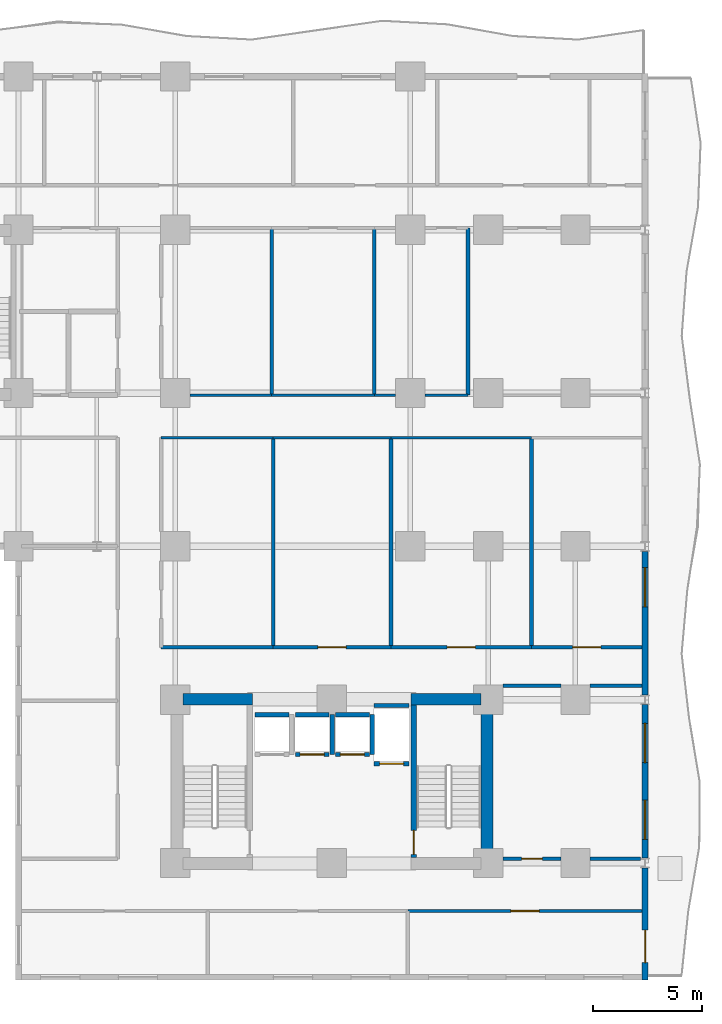
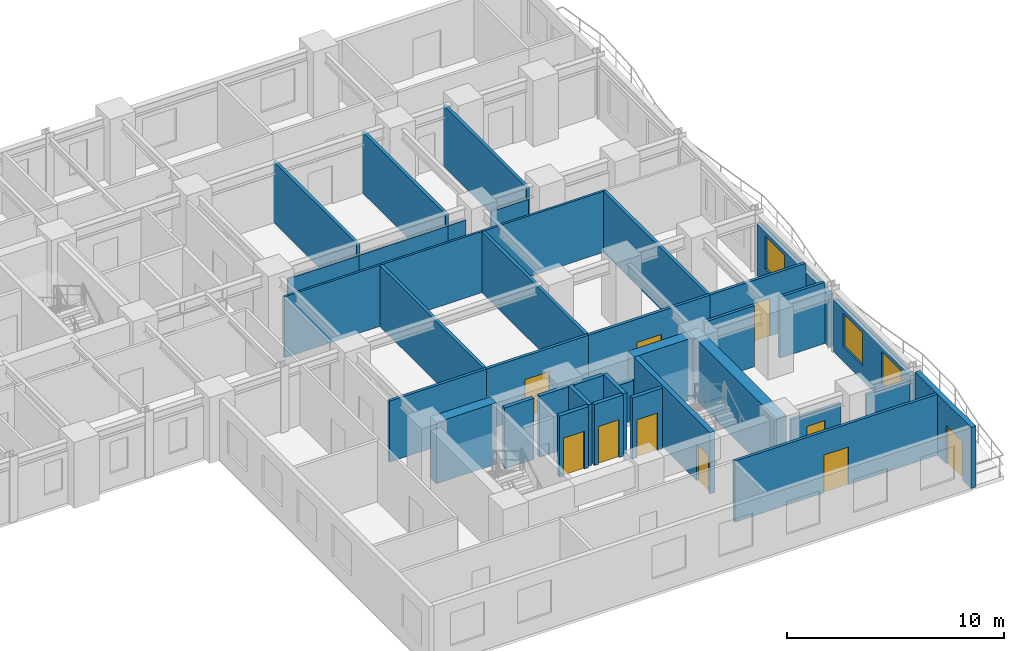
# One storey, part 13 of 19: 38 walls, 10 doors, 3 windows, 13 openings.
"""IFC4 building model written with IfcOpenShell, lengths in metres."""

from ifc_helpers import new_model, si_unit, direction, frame, frame_2d, origin, place, context, subcontext, project, spatial, rectangle, extrude, material, layer, layer_set, type_object, element, fill, save


model = new_model("IFC4")

# Units and contexts
model_context = context("Model", 3, precision=1e-05, world=origin(), true_north=direction((0.0, 1.0)))
body_context = subcontext(model_context, "Body", "Model", "MODEL_VIEW")
ifc_project = project(units=[si_unit("LENGTHUNIT", "METRE"), si_unit("AREAUNIT", "SQUARE_METRE"), si_unit("VOLUMEUNIT", "CUBIC_METRE"), si_unit("PLANEANGLEUNIT", "RADIAN"), si_unit("MASSUNIT", "GRAM", prefix="KILO")], contexts=[model_context])

# Site, building, storey
site_placement = place(None, origin())
site = spatial("IfcSite", under=ifc_project, at=site_placement, CompositionType="ELEMENT")
building_placement = place(site_placement, origin())
building = spatial("IfcBuilding", under=site, at=building_placement, Name="Kaliganga Portal Commons", CompositionType="ELEMENT")
storey_placement = place(building_placement, frame((0.0, 0.0, 47.5)))
storey = spatial("IfcBuildingStorey", under=building, at=storey_placement, Name="L11", CompositionType="ELEMENT", Elevation=47.5)

# Walls
ifc_material_1 = material(Name="Concrete C60/75", Category="concrete")
ifc_layer_1 = layer(ifc_material_1, 0.550048828125)
ifc_layer_set_1 = layer_set([ifc_layer_1], Name="Concrete C60/75")
wall_type_1 = type_object("IfcWallType", Name="WL-CORE-550", PredefinedType="SHEAR", material=ifc_layer_set_1)
wall_1_placement = place(storey_placement, frame((50.324951171875, 6.75, 0.0), z_axis=(0.0, 0.0, 1.0), x_axis=(0.0, 1.0, 0.0)))
element("IfcWall", 1, at=wall_1_placement, inside=storey, type_object=wall_type_1, Name="Core B East Shear Wall L11", PredefinedType="SHEAR", context=body_context, shape_type="SweptSolid", body=[
    extrude(rectangle(XDim=8.10009765625, YDim=0.550048828125, at=frame_2d((4.050048828125, 0.0))), origin(), (0.0, 0.0, 1.0), 3.449951171875),
])
for number, where, z_axis, x_axis, name in (
    (2, (36.35009765625, 14.574951171875, 0.0), (0.0, 0.0, 1.0), (1.0, 0.0, 0.0), "Core B N-West Shear Wall L11"),
    (3, (46.85009765625, 14.574951171875, 0.0), (0.0, 0.0, 1.0), (1.0, 0.0, 0.0), "Core B N-East Shear Wall L11"),
):
    element("IfcWall", number, at=place(storey_placement, frame(where, z_axis=z_axis, x_axis=x_axis)), inside=storey, type_object=wall_type_1, Name=name, PredefinedType="SHEAR", context=body_context, shape_type="SweptSolid", body=[
        extrude(rectangle(XDim=3.199951171875, YDim=0.550048828125, at=frame_2d((1.60009765625, 0.0))), origin(), (0.0, 0.0, 1.0), 3.449951171875),
    ])

# Wall, opening, door
ifc_material_2 = material(Name="Insulated Aluminium-Clad Spandrel Assembly", Category="aluminium")
ifc_layer_2 = layer(ifc_material_2, 0.260009765625)
ifc_layer_set_2 = layer_set([ifc_layer_2], Name="Insulated Aluminium-Clad Spandrel Assembly")
wall_type_2 = type_object("IfcWallType", Name="WL-EXT-SPAND-260", PredefinedType="STANDARD", material=ifc_layer_set_2)
wall_2_placement = place(storey_placement, frame((57.60009765625, 6.825927734375, 0.0), z_axis=(0.0, 0.0, 1.0), x_axis=(0.0, -1.0, 0.0)))
wall_2 = element("IfcWall", 4, at=wall_2_placement, inside=storey, type_object=wall_type_2, Name="Exterior Envelope Wall L11 P1-E01-S1", PredefinedType="STANDARD", context=body_context, shape_type="SweptSolid", body=[
    extrude(rectangle(XDim=5.156005859375, YDim=0.260009765625, at=frame_2d((2.578125, 0.0))), origin(), (0.0, 0.0, 1.0), 3.429931640625),
])
opening_1_placement = place(wall_2_placement, frame((2.85888671875, 0.0, 0.0)))
opening_1 = element("IfcOpeningElement", 5, at=opening_1_placement, cuts=wall_2, Name="Opening BD-01", PredefinedType="OPENING", context=body_context, shape_type="SweptSolid", body=[
    extrude(rectangle(XDim=1.5, YDim=2.14990234375, at=frame_2d((0.75, 1.074951171875))), frame((0.0, 0.14013671875, 0.0), z_axis=(0.0, -1.0, 0.0), x_axis=(1.0, 0.0, 0.0)), (0.0, 0.0, 1.0), 0.280029296875),
])
ifc_material_3 = material(Name="Anodized Aluminium and Laminated Safety Glass", Category="aluminium")
door_type_1 = type_object("IfcDoorType", Name="DR-BALC-1500", OperationType="SLIDING_TO_LEFT", PredefinedType="DOOR", material=ifc_material_3)
door_1_placement = place(opening_1_placement, origin())
door_1 = element("IfcDoor", 6, at=door_1_placement, inside=storey, type_object=door_type_1, Name="Balcony Sliding Door L11 balc_east", OperationType="SLIDING_TO_LEFT", OverallHeight=2.14990234375, OverallWidth=1.5, PredefinedType="DOOR", context=body_context, shape_type="SweptSolid", body=[
    extrude(rectangle(XDim=1.5, YDim=2.14990234375, at=frame_2d((0.75, 1.074951171875))), frame((0.0, 0.02490234375, 0.0), z_axis=(0.0, -1.0, 0.0), x_axis=(1.0, 0.0, 0.0)), (0.0, 0.0, 1.0), 0.050048828125),
])
fill(opening_1, door_1)

# Wall, openings, windows
wall_3_placement = place(storey_placement, frame((57.60009765625, 14.325927734375, 0.0), z_axis=(0.0, 0.0, 1.0), x_axis=(0.0, -1.0, 0.0)))
wall_3 = element("IfcWall", 7, at=wall_3_placement, inside=storey, type_object=wall_type_2, Name="Exterior Envelope Wall L11 P1-E01-S2", PredefinedType="STANDARD", context=body_context, shape_type="SweptSolid", body=[
    extrude(rectangle(XDim=7.052001953125, YDim=0.260009765625, at=frame_2d((3.52587890625, 0.0))), origin(), (0.0, 0.0, 1.0), 2.929931640625),
])
opening_2_placement = place(wall_3_placement, frame((0.863037109375, 0.0, 0.85009765625)))
opening_2 = element("IfcOpeningElement", 8, at=opening_2_placement, cuts=wall_3, Name="Opening W-01", PredefinedType="OPENING", context=body_context, shape_type="SweptSolid", body=[
    extrude(rectangle(XDim=1.800048828125, YDim=1.85009765625, at=frame_2d((0.89990234375, 0.925048828125))), frame((0.0, 0.14013671875, 0.0), z_axis=(0.0, -1.0, 0.0), x_axis=(1.0, 0.0, 0.0)), (0.0, 0.0, 1.0), 0.280029296875),
])
opening_3_placement = place(wall_3_placement, frame((4.388916015625, 0.0, 0.85009765625)))
opening_3 = element("IfcOpeningElement", 9, at=opening_3_placement, cuts=wall_3, Name="Opening W-01", PredefinedType="OPENING", context=body_context, shape_type="SweptSolid", body=[
    extrude(rectangle(XDim=1.800048828125, YDim=1.85009765625, at=frame_2d((0.89990234375, 0.925048828125))), frame((0.0, 0.14013671875, 0.0), z_axis=(0.0, -1.0, 0.0), x_axis=(1.0, 0.0, 0.0)), (0.0, 0.0, 1.0), 0.280029296875),
])
ifc_material_4 = material(Name="Thermally Broken Aluminium and Low-E Double Glazing", Category="aluminium")
window_type = type_object("IfcWindowType", Name="WIN-STD-1800", PartitioningType="DOUBLE_PANEL_VERTICAL", PredefinedType="WINDOW", material=ifc_material_4)
window_1_placement = place(opening_2_placement, origin())
window_1 = element("IfcWindow", 10, at=window_1_placement, inside=storey, type_object=window_type, Name="Facade Window L11-P1E01S2-00", OverallHeight=1.85009765625, OverallWidth=1.800048828125, PartitioningType="SINGLE_PANEL", PredefinedType="WINDOW", context=body_context, shape_type="SweptSolid", body=[
    extrude(rectangle(XDim=1.800048828125, YDim=1.85009765625, at=frame_2d((0.89990234375, 0.925048828125))), frame((0.0, 0.030029296875, 0.0), z_axis=(0.0, -1.0, 0.0), x_axis=(1.0, 0.0, 0.0)), (0.0, 0.0, 1.0), 0.06005859375),
])
fill(opening_2, window_1)
window_2_placement = place(opening_3_placement, origin())
window_2 = element("IfcWindow", 11, at=window_2_placement, inside=storey, type_object=window_type, Name="Facade Window L11-P1E01S2-01", OverallHeight=1.85009765625, OverallWidth=1.800048828125, PartitioningType="SINGLE_PANEL", PredefinedType="WINDOW", context=body_context, shape_type="SweptSolid", body=[
    extrude(rectangle(XDim=1.800048828125, YDim=1.85009765625, at=frame_2d((0.89990234375, 0.925048828125))), frame((0.0, 0.030029296875, 0.0), z_axis=(0.0, -1.0, 0.0), x_axis=(1.0, 0.0, 0.0)), (0.0, 0.0, 1.0), 0.06005859375),
])
fill(opening_3, window_2)

# Wall, opening, window
wall_4_placement = place(storey_placement, frame((57.60009765625, 21.3759765625, 0.0), z_axis=(0.0, 0.0, 1.0), x_axis=(0.0, -1.0, 0.0)))
wall_4 = element("IfcWall", 12, at=wall_4_placement, inside=storey, type_object=wall_type_2, Name="Exterior Envelope Wall L11 P1-E01-S3", PredefinedType="STANDARD", context=body_context, shape_type="SweptSolid", body=[
    extrude(rectangle(XDim=6.60205078125, YDim=0.260009765625, at=frame_2d((3.301025390625, 0.0))), origin(), (0.0, 0.0, 1.0), 2.929931640625),
])
opening_4_placement = place(wall_4_placement, frame((0.75048828125, 0.0, 0.85009765625)))
opening_4 = element("IfcOpeningElement", 13, at=opening_4_placement, cuts=wall_4, Name="Opening W-01", PredefinedType="OPENING", context=body_context, shape_type="SweptSolid", body=[
    extrude(rectangle(XDim=1.800048828125, YDim=1.85009765625, at=frame_2d((0.89990234375, 0.925048828125))), frame((0.0, 0.14013671875, 0.0), z_axis=(0.0, -1.0, 0.0), x_axis=(1.0, 0.0, 0.0)), (0.0, 0.0, 1.0), 0.280029296875),
])
window_3_placement = place(opening_4_placement, origin())
window_3 = element("IfcWindow", 14, at=window_3_placement, inside=storey, type_object=window_type, Name="Facade Window L11-P1E01S3-00", OverallHeight=1.85009765625, OverallWidth=1.800048828125, PartitioningType="SINGLE_PANEL", PredefinedType="WINDOW", context=body_context, shape_type="SweptSolid", body=[
    extrude(rectangle(XDim=1.800048828125, YDim=1.85009765625, at=frame_2d((0.89990234375, 0.925048828125))), frame((0.0, 0.030029296875, 0.0), z_axis=(0.0, -1.0, 0.0), x_axis=(1.0, 0.0, 0.0)), (0.0, 0.0, 1.0), 0.06005859375),
])
fill(opening_4, window_3)

# Wall, opening, door
ifc_material_5 = material(Name="Fire-Rated Gypsum Board on Steel Stud", Category="steel")
ifc_layer_3 = layer(ifc_material_5, 0.14990234375)
ifc_layer_set_3 = layer_set([ifc_layer_3], Name="Fire-Rated Gypsum Board on Steel Stud")
wall_type_3 = type_object("IfcWallType", Name="WL-PART-CORR-150", PredefinedType="PARTITIONING", material=ifc_layer_set_3)
wall_5_placement = place(storey_placement, frame((46.699951171875, 4.840087890625, 0.0), z_axis=(0.0, 0.0, 1.0), x_axis=(1.0, 0.0, 0.0)))
wall_5 = element("IfcWall", 15, at=wall_5_placement, inside=storey, type_object=wall_type_3, Name="Interior Partition L11-008", PredefinedType="PARTITIONING", context=body_context, shape_type="SweptSolid", body=[
    extrude(rectangle(XDim=10.76806640625, YDim=0.14990234375, at=frame_2d((5.384033203125, 0.0))), origin(), (0.0, 0.0, 1.0), 3.429931640625),
])
opening_5_placement = place(wall_5_placement, frame((4.73388671875, 0.0, 0.0)))
opening_5 = element("IfcOpeningElement", 16, at=opening_5_placement, cuts=wall_5, Name="Opening RD-03", PredefinedType="OPENING", context=body_context, shape_type="SweptSolid", body=[
    extrude(rectangle(XDim=1.300048828125, YDim=2.1201171875, at=frame_2d((0.64990234375, 1.06005859375))), frame((0.0, 0.0849609375, 0.0), z_axis=(0.0, -1.0, 0.0), x_axis=(1.0, 0.0, 0.0)), (0.0, 0.0, 1.0), 0.169921875),
])
ifc_material_6 = material(Name="Glazed Timber Seminar Vision Door", Category="wood")
door_type_2 = type_object("IfcDoorType", Name="DR-STUDY-1300", OperationType="DOUBLE_DOOR_SINGLE_SWING", PredefinedType="DOOR", material=ifc_material_6)
door_2_placement = place(opening_5_placement, origin())
door_2 = element("IfcDoor", 17, at=door_2_placement, inside=storey, type_object=door_type_2, Name="Interior Door L11-BS03", OperationType="DOUBLE_DOOR_SINGLE_SWING", OverallHeight=2.1201171875, OverallWidth=1.300048828125, PredefinedType="DOOR", context=body_context, shape_type="SweptSolid", body=[
    extrude(rectangle(XDim=1.300048828125, YDim=2.1201171875, at=frame_2d((0.64990234375, 1.06005859375))), frame((0.0, 0.02490234375, 0.0), z_axis=(0.0, -1.0, 0.0), x_axis=(1.0, 0.0, 0.0)), (0.0, 0.0, 1.0), 0.050048828125),
])
fill(opening_5, door_2)

wall_6_placement = place(storey_placement, frame((51.074951171875, 7.239990234375, 0.0), z_axis=(0.0, 0.0, 1.0), x_axis=(1.0, 0.0, 0.0)))
wall_6 = element("IfcWall", 18, at=wall_6_placement, inside=storey, type_object=wall_type_3, Name="Interior Partition L11-021", PredefinedType="PARTITIONING", context=body_context, shape_type="SweptSolid", body=[
    extrude(rectangle(XDim=2.650146484375, YDim=0.14990234375, at=frame_2d((1.3251953125, 0.0))), origin(), (0.0, 0.0, 1.0), 2.780029296875),
])
opening_6_placement = place(wall_6_placement, frame((0.85009765625, 0.0, 0.0)))
opening_6 = element("IfcOpeningElement", 19, at=opening_6_placement, cuts=wall_6, Name="Opening UD-01", PredefinedType="OPENING", context=body_context, shape_type="SweptSolid", body=[
    extrude(rectangle(XDim=0.949951171875, YDim=2.10009765625, at=frame_2d((0.47509765625, 1.050048828125))), frame((0.0, 0.0849609375, 0.0), z_axis=(0.0, -1.0, 0.0), x_axis=(1.0, 0.0, 0.0)), (0.0, 0.0, 1.0), 0.169921875),
])
ifc_material_7 = material(Name="Solid-Core Timber Acoustic Fire Door", Category="wood")
door_type_3 = type_object("IfcDoorType", Name="DR-UNIT-950", OperationType="NOTDEFINED", PredefinedType="DOOR", material=ifc_material_7)
door_3_placement = place(opening_6_placement, origin())
door_3 = element("IfcDoor", 20, at=door_3_placement, inside=storey, type_object=door_type_3, Name="Interior Door L11-BE01", OperationType="SINGLE_SWING_RIGHT", OverallHeight=2.10009765625, OverallWidth=0.949951171875, PredefinedType="DOOR", context=body_context, shape_type="SweptSolid", body=[
    extrude(rectangle(XDim=0.949951171875, YDim=2.10009765625, at=frame_2d((0.47509765625, 1.050048828125))), frame((0.0, 0.02490234375, 0.0), z_axis=(0.0, -1.0, 0.0), x_axis=(1.0, 0.0, 0.0)), (0.0, 0.0, 1.0), 0.050048828125),
])
fill(opening_6, door_3)

# Walls
wall_7_placement = place(storey_placement, frame((55.074951171875, 7.239990234375, 0.0), z_axis=(0.0, 0.0, 1.0), x_axis=(1.0, 0.0, 0.0)))
element("IfcWall", 21, at=wall_7_placement, inside=storey, type_object=wall_type_3, Name="Interior Partition L11-022", PredefinedType="PARTITIONING", context=body_context, shape_type="SweptSolid", body=[
    extrude(rectangle(XDim=2.317138671875, YDim=0.14990234375, at=frame_2d((1.15869140625, 0.0))), origin(), (0.0, 0.0, 1.0), 2.780029296875),
])
wall_8_placement = place(storey_placement, frame((51.074951171875, 15.199951171875, 0.0), z_axis=(0.0, 0.0, 1.0), x_axis=(1.0, 0.0, 0.0)))
element("IfcWall", 22, at=wall_8_placement, inside=storey, type_object=wall_type_3, Name="Interior Partition L11-023", PredefinedType="PARTITIONING", context=body_context, shape_type="SweptSolid", body=[
    extrude(rectangle(XDim=2.650146484375, YDim=0.14990234375, at=frame_2d((1.3251953125, 0.0))), origin(), (0.0, 0.0, 1.0), 3.429931640625),
])
wall_9_placement = place(storey_placement, frame((55.074951171875, 15.199951171875, 0.0), z_axis=(0.0, 0.0, 1.0), x_axis=(1.0, 0.0, 0.0)))
element("IfcWall", 23, at=wall_9_placement, inside=storey, type_object=wall_type_3, Name="Interior Partition L11-024", PredefinedType="PARTITIONING", context=body_context, shape_type="SweptSolid", body=[
    extrude(rectangle(XDim=2.39306640625, YDim=0.14990234375, at=frame_2d((1.196533203125, 0.0))), origin(), (0.0, 0.0, 1.0), 3.429931640625),
])

# Wall, opening, door
wall_10_placement = place(storey_placement, frame((45.919921875, 16.9599609375, 0.0), z_axis=(0.0, 0.0, 1.0), x_axis=(1.0, 0.0, 0.0)))
wall_10 = element("IfcWall", 24, at=wall_10_placement, inside=storey, type_object=wall_type_3, Name="Interior Partition L11-027", PredefinedType="PARTITIONING", context=body_context, shape_type="SweptSolid", body=[
    extrude(rectangle(XDim=6.4599609375, YDim=0.14990234375, at=frame_2d((3.22998046875, 0.0))), origin(), (0.0, 0.0, 1.0), 3.429931640625),
])
opening_7_placement = place(wall_10_placement, frame((2.580078125, 0.0, 0.0)))
opening_7 = element("IfcOpeningElement", 25, at=opening_7_placement, cuts=wall_10, Name="Opening RD-03", PredefinedType="OPENING", context=body_context, shape_type="SweptSolid", body=[
    extrude(rectangle(XDim=1.300048828125, YDim=2.1201171875, at=frame_2d((0.64990234375, 1.06005859375))), frame((0.0, 0.0849609375, 0.0), z_axis=(0.0, -1.0, 0.0), x_axis=(1.0, 0.0, 0.0)), (0.0, 0.0, 1.0), 0.169921875),
])
door_4_placement = place(opening_7_placement, origin())
door_4 = element("IfcDoor", 26, at=door_4_placement, inside=storey, type_object=door_type_2, Name="Interior Door L11-BM03", OperationType="DOUBLE_DOOR_SINGLE_SWING", OverallHeight=2.1201171875, OverallWidth=1.300048828125, PredefinedType="DOOR", context=body_context, shape_type="SweptSolid", body=[
    extrude(rectangle(XDim=1.300048828125, YDim=2.1201171875, at=frame_2d((0.64990234375, 1.06005859375))), frame((0.0, 0.02490234375, 0.0), z_axis=(0.0, -1.0, 0.0), x_axis=(1.0, 0.0, 0.0)), (0.0, 0.0, 1.0), 0.050048828125),
])
fill(opening_7, door_4)

wall_11_placement = place(storey_placement, frame((40.5, 16.9599609375, 0.0), z_axis=(0.0, 0.0, 1.0), x_axis=(1.0, 0.0, 0.0)))
wall_11 = element("IfcWall", 27, at=wall_11_placement, inside=storey, type_object=wall_type_3, Name="Interior Partition L11-029", PredefinedType="PARTITIONING", context=body_context, shape_type="SweptSolid", body=[
    extrude(rectangle(XDim=5.419921875, YDim=0.14990234375, at=frame_2d((2.7099609375, 0.0))), origin(), (0.0, 0.0, 1.0), 3.429931640625),
])
opening_8_placement = place(wall_11_placement, frame((2.06005859375, 0.0, 0.0)))
opening_8 = element("IfcOpeningElement", 28, at=opening_8_placement, cuts=wall_11, Name="Opening RD-03", PredefinedType="OPENING", context=body_context, shape_type="SweptSolid", body=[
    extrude(rectangle(XDim=1.300048828125, YDim=2.1201171875, at=frame_2d((0.64990234375, 1.06005859375))), frame((0.0, 0.0849609375, 0.0), z_axis=(0.0, -1.0, 0.0), x_axis=(1.0, 0.0, 0.0)), (0.0, 0.0, 1.0), 0.169921875),
])
door_5_placement = place(opening_8_placement, origin())
door_5 = element("IfcDoor", 29, at=door_5_placement, inside=storey, type_object=door_type_2, Name="Interior Door L11-BM02", OperationType="DOUBLE_DOOR_SINGLE_SWING", OverallHeight=2.1201171875, OverallWidth=1.300048828125, PredefinedType="DOOR", context=body_context, shape_type="SweptSolid", body=[
    extrude(rectangle(XDim=1.300048828125, YDim=2.1201171875, at=frame_2d((0.64990234375, 1.06005859375))), frame((0.0, 0.02490234375, 0.0), z_axis=(0.0, -1.0, 0.0), x_axis=(1.0, 0.0, 0.0)), (0.0, 0.0, 1.0), 0.050048828125),
])
fill(opening_8, door_5)

wall_12_placement = place(storey_placement, frame((52.3798828125, 16.9599609375, 0.0), z_axis=(0.0, 0.0, 1.0), x_axis=(1.0, 0.0, 0.0)))
wall_12 = element("IfcWall", 30, at=wall_12_placement, inside=storey, type_object=wall_type_3, Name="Interior Partition L11-030", PredefinedType="PARTITIONING", context=body_context, shape_type="SweptSolid", body=[
    extrude(rectangle(XDim=5.088134765625, YDim=0.14990234375, at=frame_2d((2.5439453125, 0.0))), origin(), (0.0, 0.0, 1.0), 3.429931640625),
])
opening_9_placement = place(wall_12_placement, frame((1.89404296875, 0.0, 0.0)))
opening_9 = element("IfcOpeningElement", 31, at=opening_9_placement, cuts=wall_12, Name="Opening RD-03", PredefinedType="OPENING", context=body_context, shape_type="SweptSolid", body=[
    extrude(rectangle(XDim=1.300048828125, YDim=2.1201171875, at=frame_2d((0.64990234375, 1.06005859375))), frame((0.0, 0.0849609375, 0.0), z_axis=(0.0, -1.0, 0.0), x_axis=(1.0, 0.0, 0.0)), (0.0, 0.0, 1.0), 0.169921875),
])
door_6_placement = place(opening_9_placement, origin())
door_6 = element("IfcDoor", 32, at=door_6_placement, inside=storey, type_object=door_type_2, Name="Interior Door L11-BM04", OperationType="DOUBLE_DOOR_SINGLE_SWING", OverallHeight=2.1201171875, OverallWidth=1.300048828125, PredefinedType="DOOR", context=body_context, shape_type="SweptSolid", body=[
    extrude(rectangle(XDim=1.300048828125, YDim=2.1201171875, at=frame_2d((0.64990234375, 1.06005859375))), frame((0.0, 0.02490234375, 0.0), z_axis=(0.0, -1.0, 0.0), x_axis=(1.0, 0.0, 0.0)), (0.0, 0.0, 1.0), 0.050048828125),
])
fill(opening_9, door_6)

# Walls
wall_13_placement = place(storey_placement, frame((35.360107421875, 16.9599609375, 0.0), z_axis=(0.0, 0.0, 1.0), x_axis=(1.0, 0.0, 0.0)))
element("IfcWall", 33, at=wall_13_placement, inside=storey, type_object=wall_type_3, Name="Interior Partition L11-032", PredefinedType="PARTITIONING", context=body_context, shape_type="SweptSolid", body=[
    extrude(rectangle(XDim=5.139892578125, YDim=0.14990234375, at=frame_2d((2.56982421875, 0.0))), origin(), (0.0, 0.0, 1.0), 3.429931640625),
])
ifc_material_8 = material(Name="Moisture-Resistant Gypsum Partition", Category="gypsum")
ifc_layer_4 = layer(ifc_material_8, 0.114990234375)
ifc_layer_set_4 = layer_set([ifc_layer_4], Name="Moisture-Resistant Gypsum Partition")
wall_type_4 = type_object("IfcWallType", Name="WL-PART-ROOM-115", PredefinedType="PARTITIONING", material=ifc_layer_set_4)
wall_14_placement = place(storey_placement, frame((45.919921875, 26.60009765625, 0.0), z_axis=(0.0, 0.0, 1.0), x_axis=(1.0, 0.0, 0.0)))
element("IfcWall", 34, at=wall_14_placement, inside=storey, type_object=wall_type_4, Name="Interior Partition L11-067", PredefinedType="PARTITIONING", context=body_context, shape_type="SweptSolid", body=[
    extrude(rectangle(XDim=6.4599609375, YDim=0.114990234375, at=frame_2d((3.22998046875, 0.0))), origin(), (0.0, 0.0, 1.0), 3.429931640625),
])
wall_15_placement = place(storey_placement, frame((40.5, 26.60009765625, 0.0), z_axis=(0.0, 0.0, 1.0), x_axis=(1.0, 0.0, 0.0)))
element("IfcWall", 35, at=wall_15_placement, inside=storey, type_object=wall_type_4, Name="Interior Partition L11-068", PredefinedType="PARTITIONING", context=body_context, shape_type="SweptSolid", body=[
    extrude(rectangle(XDim=5.419921875, YDim=0.114990234375, at=frame_2d((2.7099609375, 0.0))), origin(), (0.0, 0.0, 1.0), 3.429931640625),
])
wall_16_placement = place(storey_placement, frame((35.360107421875, 26.60009765625, 0.0), z_axis=(0.0, 0.0, 1.0), x_axis=(1.0, 0.0, 0.0)))
element("IfcWall", 36, at=wall_16_placement, inside=storey, type_object=wall_type_4, Name="Interior Partition L11-070", PredefinedType="PARTITIONING", context=body_context, shape_type="SweptSolid", body=[
    extrude(rectangle(XDim=5.139892578125, YDim=0.114990234375, at=frame_2d((2.56982421875, 0.0))), origin(), (0.0, 0.0, 1.0), 3.429931640625),
])
wall_17_placement = place(storey_placement, frame((36.675048828125, 28.56005859375, 0.0), z_axis=(0.0, 0.0, 1.0), x_axis=(1.0, 0.0, 0.0)))
element("IfcWall", 37, at=wall_17_placement, inside=storey, type_object=wall_type_4, Name="Interior Partition L11-071", PredefinedType="PARTITIONING", context=body_context, shape_type="SweptSolid", body=[
    extrude(rectangle(XDim=3.764892578125, YDim=0.114990234375, at=frame_2d((1.88232421875, 0.0))), origin(), (0.0, 0.0, 1.0), 2.780029296875),
])
wall_18_placement = place(storey_placement, frame((40.43994140625, 28.56005859375, 0.0), z_axis=(0.0, 0.0, 1.0), x_axis=(1.0, 0.0, 0.0)))
element("IfcWall", 38, at=wall_18_placement, inside=storey, type_object=wall_type_4, Name="Interior Partition L11-082", PredefinedType="PARTITIONING", context=body_context, shape_type="SweptSolid", body=[
    extrude(rectangle(XDim=4.719970703125, YDim=0.114990234375, at=frame_2d((2.35986328125, 0.0))), origin(), (0.0, 0.0, 1.0), 2.780029296875),
])
wall_19_placement = place(storey_placement, frame((45.159912109375, 28.56005859375, 0.0), z_axis=(0.0, 0.0, 1.0), x_axis=(1.0, 0.0, 0.0)))
element("IfcWall", 39, at=wall_19_placement, inside=storey, type_object=wall_type_4, Name="Interior Partition L11-085", PredefinedType="PARTITIONING", context=body_context, shape_type="SweptSolid", body=[
    extrude(rectangle(XDim=0.965087890625, YDim=0.114990234375, at=frame_2d((0.482421875, 0.0))), origin(), (0.0, 0.0, 1.0), 2.780029296875),
])
wall_20_placement = place(storey_placement, frame((47.47509765625, 28.56005859375, 0.0), z_axis=(0.0, 0.0, 1.0), x_axis=(1.0, 0.0, 0.0)))
element("IfcWall", 40, at=wall_20_placement, inside=storey, type_object=wall_type_4, Name="Interior Partition L11-086", PredefinedType="PARTITIONING", context=body_context, shape_type="SweptSolid", body=[
    extrude(rectangle(XDim=1.98486328125, YDim=0.114990234375, at=frame_2d((0.992431640625, 0.0))), origin(), (0.0, 0.0, 1.0), 2.780029296875),
])
ifc_material_9 = material(Name="Twin-Stud Acoustic Gypsum Partition", Category="gypsum")
ifc_layer_5 = layer(ifc_material_9, 0.1650390625)
ifc_layer_set_5 = layer_set([ifc_layer_5], Name="Twin-Stud Acoustic Gypsum Partition")
wall_type_5 = type_object("IfcWallType", Name="WL-PART-UNIT-165", PredefinedType="PARTITIONING", material=ifc_layer_set_5)
for number, where, z_axis, x_axis, name in (
    (41, (40.5, 16.9599609375, 0.0), (0.0, 0.0, 1.0), (0.0, 1.0, 0.0), "Interior Partition L11-059"),
    (42, (45.919921875, 16.9599609375, 0.0), (0.0, 0.0, 1.0), (0.0, 1.0, 0.0), "Interior Partition L11-060"),
    (43, (52.3798828125, 16.9599609375, 0.0), (0.0, 0.0, 1.0), (0.0, 1.0, 0.0), "Interior Partition L11-061"),
):
    element("IfcWall", number, at=place(storey_placement, frame(where, z_axis=z_axis, x_axis=x_axis)), inside=storey, type_object=wall_type_5, Name=name, PredefinedType="PARTITIONING", context=body_context, shape_type="SweptSolid", body=[
        extrude(rectangle(XDim=9.64013671875, YDim=0.1650390625, at=frame_2d((4.820068359375, 0.0))), origin(), (0.0, 0.0, 1.0), 3.429931640625),
    ])
for number, where, z_axis, x_axis, name in (
    (44, (40.43994140625, 28.56005859375, 0.0), (0.0, 0.0, 1.0), (0.0, 1.0, 0.0), "Interior Partition L11-064"),
    (45, (45.159912109375, 28.56005859375, 0.0), (0.0, 0.0, 1.0), (0.0, 1.0, 0.0), "Interior Partition L11-065"),
    (46, (49.4599609375, 28.56005859375, 0.0), (0.0, 0.0, 1.0), (0.0, 1.0, 0.0), "Interior Partition L11-066"),
):
    element("IfcWall", number, at=place(storey_placement, frame(where, z_axis=z_axis, x_axis=x_axis)), inside=storey, type_object=wall_type_5, Name=name, PredefinedType="PARTITIONING", context=body_context, shape_type="SweptSolid", body=[
        extrude(rectangle(XDim=7.679931640625, YDim=0.1650390625, at=frame_2d((3.83984375, 0.0))), origin(), (0.0, 0.0, 1.0), 3.429931640625),
    ])
ifc_material_10 = material(Name="Fire-Rated Shaftwall Masonry Assembly", Category="masonry")
ifc_layer_6 = layer(ifc_material_10, 0.199951171875)
ifc_layer_set_6 = layer_set([ifc_layer_6], Name="Fire-Rated Shaftwall Masonry Assembly")
wall_type_6 = type_object("IfcWallType", Name="WL-SHAFT-200", PredefinedType="PARTITIONING", material=ifc_layer_set_6)
wall_21_placement = place(storey_placement, frame((39.675048828125, 13.864990234375, 0.0), z_axis=(0.0, 0.0, 1.0), x_axis=(1.0, 0.0, 0.0)))
element("IfcWall", 47, at=wall_21_placement, inside=storey, type_object=wall_type_6, Name="Lift PL-B1 Hoistway Shaft Wall L11-N", PredefinedType="PARTITIONING", context=body_context, shape_type="SweptSolid", body=[
    extrude(rectangle(XDim=1.550048828125, YDim=0.199951171875, at=frame_2d((0.77490234375, 0.0))), origin(), (0.0, 0.0, 1.0), 3.429931640625),
])

# Wall, opening, door
wall_22_placement = place(storey_placement, frame((41.52490234375, 12.034912109375, 0.0), z_axis=(0.0, 0.0, 1.0), x_axis=(1.0, 0.0, 0.0)))
wall_22 = element("IfcWall", 48, at=wall_22_placement, inside=storey, type_object=wall_type_6, Name="Lift PL-B2 Hoistway Shaft Wall L11-S", PredefinedType="PARTITIONING", context=body_context, shape_type="SweptSolid", body=[
    extrude(rectangle(XDim=1.550048828125, YDim=0.199951171875, at=frame_2d((0.77490234375, 0.0))), origin(), (0.0, 0.0, 1.0), 3.429931640625),
])
opening_10_placement = place(wall_22_placement, frame((0.22509765625, 0.0, 0.0)))
opening_10 = element("IfcOpeningElement", 49, at=opening_10_placement, cuts=wall_22, Name="Opening LD-01", PredefinedType="OPENING", context=body_context, shape_type="SweptSolid", body=[
    extrude(rectangle(XDim=1.10009765625, YDim=2.1201171875, at=frame_2d((0.550048828125, 1.06005859375))), frame((0.0, 0.10986328125, 0.0), z_axis=(0.0, -1.0, 0.0), x_axis=(1.0, 0.0, 0.0)), (0.0, 0.0, 1.0), 0.219970703125),
])
ifc_material_11 = material(Name="Brushed Stainless Steel 316 Lift Landing Door", Category="steel")
door_type_4 = type_object("IfcDoorType", Name="DR-LIFT-1100", OperationType="SLIDING_TO_LEFT", PredefinedType="DOOR", material=ifc_material_11)
door_7_placement = place(opening_10_placement, origin())
door_7 = element("IfcDoor", 50, at=door_7_placement, inside=storey, type_object=door_type_4, Name="Lift PL-B2 Sliding Landing Door L11", OperationType="SLIDING_TO_LEFT", OverallHeight=2.1201171875, OverallWidth=1.10009765625, PredefinedType="DOOR", context=body_context, shape_type="SweptSolid", body=[
    extrude(rectangle(XDim=1.10009765625, YDim=2.1201171875, at=frame_2d((0.550048828125, 1.06005859375))), frame((0.0, 0.02490234375, 0.0), z_axis=(0.0, -1.0, 0.0), x_axis=(1.0, 0.0, 0.0)), (0.0, 0.0, 1.0), 0.050048828125),
])
fill(opening_10, door_7)

# Walls
wall_23_placement = place(storey_placement, frame((41.52490234375, 13.864990234375, 0.0), z_axis=(0.0, 0.0, 1.0), x_axis=(1.0, 0.0, 0.0)))
element("IfcWall", 51, at=wall_23_placement, inside=storey, type_object=wall_type_6, Name="Lift PL-B2 Hoistway Shaft Wall L11-N", PredefinedType="PARTITIONING", context=body_context, shape_type="SweptSolid", body=[
    extrude(rectangle(XDim=1.550048828125, YDim=0.199951171875, at=frame_2d((0.77490234375, 0.0))), origin(), (0.0, 0.0, 1.0), 3.429931640625),
])
wall_24_placement = place(storey_placement, frame((43.215087890625, 12.034912109375, 0.0), z_axis=(0.0, 0.0, 1.0), x_axis=(0.0, 1.0, 0.0)))
element("IfcWall", 52, at=wall_24_placement, inside=storey, type_object=wall_type_6, Name="Lift PL-B2 Hoistway Shaft Wall L11-E", PredefinedType="PARTITIONING", context=body_context, shape_type="SweptSolid", body=[
    extrude(rectangle(XDim=1.830078125, YDim=0.199951171875, at=frame_2d((0.9150390625, 0.0))), origin(), (0.0, 0.0, 1.0), 3.429931640625),
])

# Wall, opening, door
wall_25_placement = place(storey_placement, frame((43.375, 12.034912109375, 0.0), z_axis=(0.0, 0.0, 1.0), x_axis=(1.0, 0.0, 0.0)))
wall_25 = element("IfcWall", 53, at=wall_25_placement, inside=storey, type_object=wall_type_6, Name="Lift SH-2 Hoistway Shaft Wall L11-S", PredefinedType="PARTITIONING", context=body_context, shape_type="SweptSolid", body=[
    extrude(rectangle(XDim=1.550048828125, YDim=0.199951171875, at=frame_2d((0.77490234375, 0.0))), origin(), (0.0, 0.0, 1.0), 3.429931640625),
])
opening_11_placement = place(wall_25_placement, frame((0.22509765625, 0.0, 0.0)))
opening_11 = element("IfcOpeningElement", 54, at=opening_11_placement, cuts=wall_25, Name="Opening LD-01", PredefinedType="OPENING", context=body_context, shape_type="SweptSolid", body=[
    extrude(rectangle(XDim=1.10009765625, YDim=2.1201171875, at=frame_2d((0.550048828125, 1.06005859375))), frame((0.0, 0.10986328125, 0.0), z_axis=(0.0, -1.0, 0.0), x_axis=(1.0, 0.0, 0.0)), (0.0, 0.0, 1.0), 0.219970703125),
])
door_8_placement = place(opening_11_placement, origin())
door_8 = element("IfcDoor", 55, at=door_8_placement, inside=storey, type_object=door_type_4, Name="Lift SH-2 Sliding Landing Door L11", OperationType="SLIDING_TO_LEFT", OverallHeight=2.1201171875, OverallWidth=1.10009765625, PredefinedType="DOOR", context=body_context, shape_type="SweptSolid", body=[
    extrude(rectangle(XDim=1.10009765625, YDim=2.1201171875, at=frame_2d((0.550048828125, 1.06005859375))), frame((0.0, 0.02490234375, 0.0), z_axis=(0.0, -1.0, 0.0), x_axis=(1.0, 0.0, 0.0)), (0.0, 0.0, 1.0), 0.050048828125),
])
fill(opening_11, door_8)

# Walls
wall_26_placement = place(storey_placement, frame((43.375, 13.864990234375, 0.0), z_axis=(0.0, 0.0, 1.0), x_axis=(1.0, 0.0, 0.0)))
element("IfcWall", 56, at=wall_26_placement, inside=storey, type_object=wall_type_6, Name="Lift SH-2 Hoistway Shaft Wall L11-N", PredefinedType="PARTITIONING", context=body_context, shape_type="SweptSolid", body=[
    extrude(rectangle(XDim=1.550048828125, YDim=0.199951171875, at=frame_2d((0.77490234375, 0.0))), origin(), (0.0, 0.0, 1.0), 3.429931640625),
])
wall_27_placement = place(storey_placement, frame((45.06494140625, 12.034912109375, 0.0), z_axis=(0.0, 0.0, 1.0), x_axis=(0.0, 1.0, 0.0)))
element("IfcWall", 57, at=wall_27_placement, inside=storey, type_object=wall_type_6, Name="Lift SH-2 Hoistway Shaft Wall L11-E", PredefinedType="PARTITIONING", context=body_context, shape_type="SweptSolid", body=[
    extrude(rectangle(XDim=1.830078125, YDim=0.199951171875, at=frame_2d((0.9150390625, 0.0))), origin(), (0.0, 0.0, 1.0), 3.429931640625),
])

# Wall, opening, door
wall_28_placement = place(storey_placement, frame((45.14990234375, 11.610107421875, 0.0), z_axis=(0.0, 0.0, 1.0), x_axis=(1.0, 0.0, 0.0)))
wall_28 = element("IfcWall", 58, at=wall_28_placement, inside=storey, type_object=wall_type_6, Name="Lift SL-B1 Hoistway Shaft Wall L11-S", PredefinedType="PARTITIONING", context=body_context, shape_type="SweptSolid", body=[
    extrude(rectangle(XDim=1.60009765625, YDim=0.199951171875, at=frame_2d((0.800048828125, 0.0))), origin(), (0.0, 0.0, 1.0), 3.429931640625),
])
opening_12_placement = place(wall_28_placement, frame((0.25, 0.0, 0.0)))
opening_12 = element("IfcOpeningElement", 59, at=opening_12_placement, cuts=wall_28, Name="Opening LD-01", PredefinedType="OPENING", context=body_context, shape_type="SweptSolid", body=[
    extrude(rectangle(XDim=1.10009765625, YDim=2.1201171875, at=frame_2d((0.550048828125, 1.06005859375))), frame((0.0, 0.10986328125, 0.0), z_axis=(0.0, -1.0, 0.0), x_axis=(1.0, 0.0, 0.0)), (0.0, 0.0, 1.0), 0.219970703125),
])
door_9_placement = place(opening_12_placement, origin())
door_9 = element("IfcDoor", 60, at=door_9_placement, inside=storey, type_object=door_type_4, Name="Lift SL-B1 Sliding Landing Door L11", OperationType="SLIDING_TO_LEFT", OverallHeight=2.1201171875, OverallWidth=1.10009765625, PredefinedType="DOOR", context=body_context, shape_type="SweptSolid", body=[
    extrude(rectangle(XDim=1.10009765625, YDim=2.1201171875, at=frame_2d((0.550048828125, 1.06005859375))), frame((0.0, 0.02490234375, 0.0), z_axis=(0.0, -1.0, 0.0), x_axis=(1.0, 0.0, 0.0)), (0.0, 0.0, 1.0), 0.050048828125),
])
fill(opening_12, door_9)

# Wall
wall_29_placement = place(storey_placement, frame((45.14990234375, 14.2900390625, 0.0), z_axis=(0.0, 0.0, 1.0), x_axis=(1.0, 0.0, 0.0)))
element("IfcWall", 61, at=wall_29_placement, inside=storey, type_object=wall_type_6, Name="Lift SL-B1 Hoistway Shaft Wall L11-N", PredefinedType="PARTITIONING", context=body_context, shape_type="SweptSolid", body=[
    extrude(rectangle(XDim=1.60009765625, YDim=0.199951171875, at=frame_2d((0.800048828125, 0.0))), origin(), (0.0, 0.0, 1.0), 2.22998046875),
])

# Wall, opening, door
ifc_material_12 = material(Name="Concrete C50/60", Category="concrete")
ifc_layer_7 = layer(ifc_material_12, 0.25)
ifc_layer_set_7 = layer_set([ifc_layer_7], Name="Concrete C50/60")
wall_type_7 = type_object("IfcWallType", Name="WL-STAIR-250", PredefinedType="SHEAR", material=ifc_layer_set_7)
wall_30_placement = place(storey_placement, frame((46.97509765625, 7.300048828125, 0.0), z_axis=(0.0, 0.0, 1.0), x_axis=(0.0, 1.0, 0.0)))
wall_30 = element("IfcWall", 62, at=wall_30_placement, inside=storey, type_object=wall_type_7, Name="Stair B2 Enclosure Shear Wall L11", PredefinedType="SHEAR", context=body_context, shape_type="SweptSolid", body=[
    extrude(rectangle(XDim=7.0, YDim=0.25, at=frame_2d((3.5, 0.0))), origin(), (0.0, 0.0, 1.0), 3.449951171875),
])
opening_13_placement = place(wall_30_placement, frame((0.14990234375, 0.0, 0.0)))
opening_13 = element("IfcOpeningElement", 63, at=opening_13_placement, cuts=wall_30, Name="Opening SD-01", PredefinedType="OPENING", context=body_context, shape_type="SweptSolid", body=[
    extrude(rectangle(XDim=1.10009765625, YDim=2.080078125, at=frame_2d((0.550048828125, 1.0400390625))), frame((0.0, 0.135009765625, 0.0), z_axis=(0.0, -1.0, 0.0), x_axis=(1.0, 0.0, 0.0)), (0.0, 0.0, 1.0), 0.27001953125),
])
ifc_material_13 = material(Name="Galvanized Steel Fire Door Leaf and Frame", Category="steel")
door_type_5 = type_object("IfcDoorType", Name="DR-STAIR-1100", OperationType="NOTDEFINED", PredefinedType="DOOR", material=ifc_material_13)
door_10_placement = place(opening_13_placement, origin())
door_10 = element("IfcDoor", 64, at=door_10_placement, inside=storey, type_object=door_type_5, Name="Protected Stair ST-B2 Fire Door L11", OperationType="SINGLE_SWING_RIGHT", OverallHeight=2.080078125, OverallWidth=1.10009765625, PredefinedType="DOOR", context=body_context, shape_type="SweptSolid", body=[
    extrude(rectangle(XDim=1.10009765625, YDim=2.080078125, at=frame_2d((0.550048828125, 1.0400390625))), frame((0.0, 0.02490234375, 0.0), z_axis=(0.0, -1.0, 0.0), x_axis=(1.0, 0.0, 0.0)), (0.0, 0.0, 1.0), 0.050048828125),
])
fill(opening_13, door_10)

save(model, "model.ifc")
